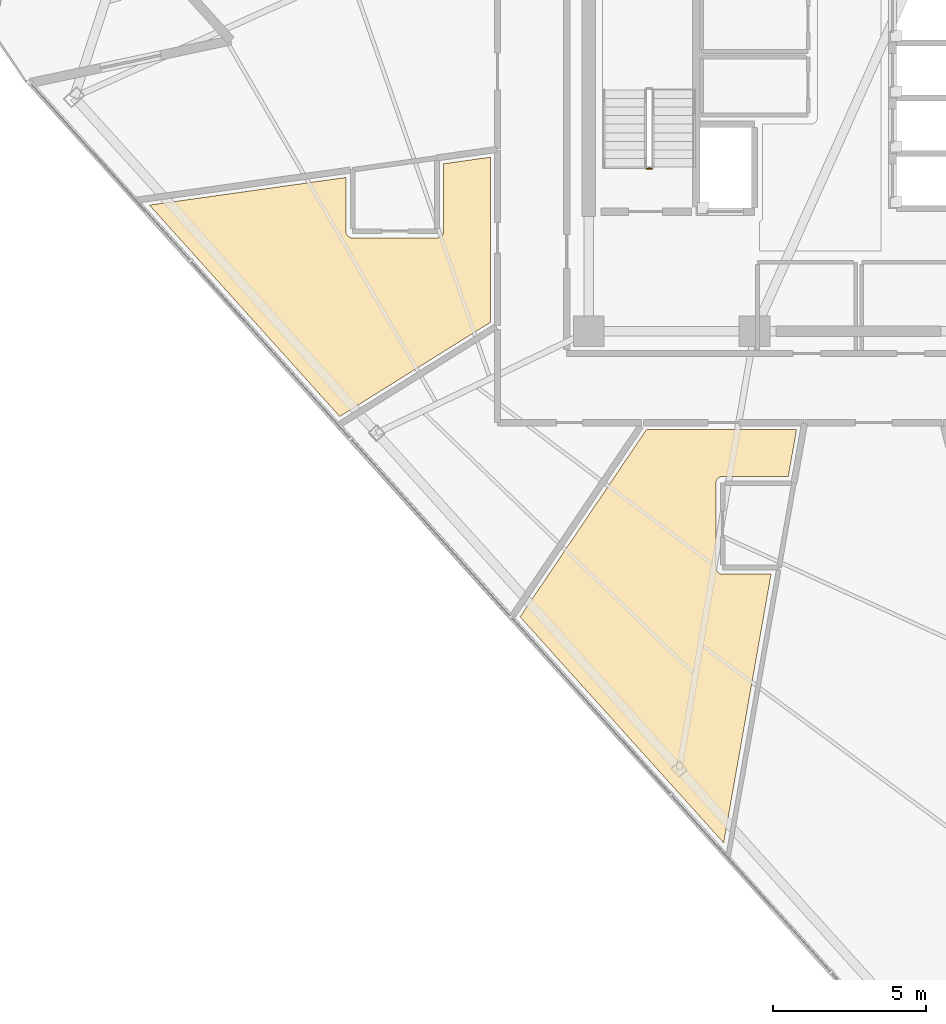
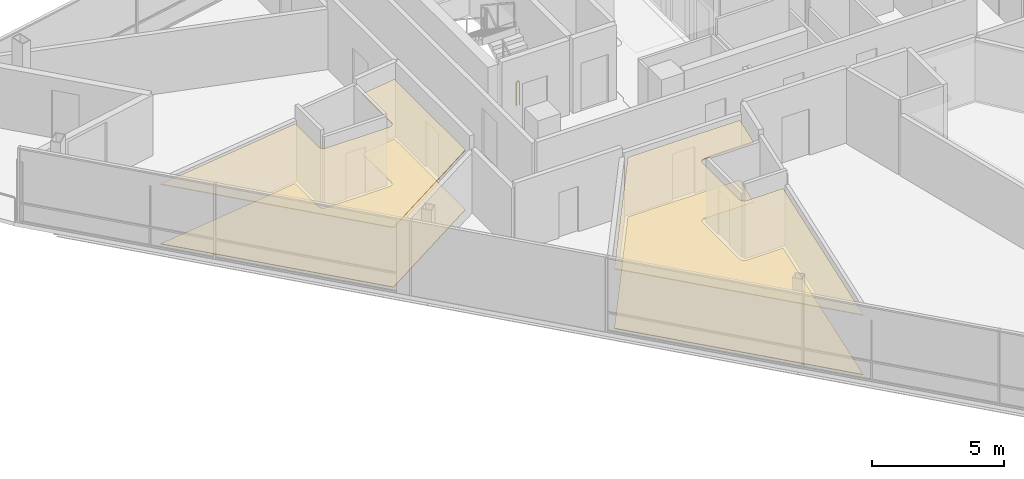
# One storey, part 14 of 17: 4 coverings, 1 railing.
"""IFC4 building model written with IfcOpenShell, lengths in metres."""

from ifc_helpers import new_model, si_unit, direction, frame, origin, origin_2d, place, context, subcontext, project, spatial, polyline, rectangle, outline, extrude, material, layer, layer_set, type_object, element, save


model = new_model("IFC4")

# Units and contexts
model_context = context("Model", 3, precision=1e-05, world=origin(), true_north=direction((0.0, 1.0)))
body_context = subcontext(model_context, "Body", "Model", "MODEL_VIEW")
ifc_project = project(units=[si_unit("LENGTHUNIT", "METRE"), si_unit("AREAUNIT", "SQUARE_METRE"), si_unit("VOLUMEUNIT", "CUBIC_METRE"), si_unit("PLANEANGLEUNIT", "RADIAN"), si_unit("MASSUNIT", "GRAM", prefix="KILO")], contexts=[model_context])

# Site, building, storey
site_placement = place(None, origin())
site = spatial("IfcSite", under=ifc_project, at=site_placement, CompositionType="ELEMENT")
building_placement = place(site_placement, origin())
building = spatial("IfcBuilding", under=site, at=building_placement, Name="Tharavind Bronze Gate", CompositionType="ELEMENT")
storey_placement = place(building_placement, frame((0.0, 0.0, 294.35009765625)))
storey = spatial("IfcBuildingStorey", under=building, at=storey_placement, Name="L76", CompositionType="ELEMENT", Elevation=294.35009765625)

# Coverings
ifc_material_1 = material(Name="Engineered Oak & Carpet Tile", Category="wood")
ifc_layer_1 = layer(ifc_material_1, 0.02490234375)
ifc_layer_set_1 = layer_set([ifc_layer_1], Name="Engineered Oak & Carpet Tile")
covering_type_1 = type_object("IfcCoveringType", Name="ENGINEERED TIMBER FLOORING", PredefinedType="FLOORING", material=ifc_layer_set_1)
covering_1_placement = place(storey_placement, origin())
element("IfcCovering", 1, at=covering_1_placement, inside=storey, type_object=covering_type_1, Name="L76-RM-06 floor finish", PredefinedType="FLOORING", context=body_context, shape_type="SweptSolid", body=[
    extrude(outline(polyline([(-17.0205078125, -10.376220703125), (-12.10009765625, -7.301513671875), (-12.10009765625, -1.922607421875), (-13.6298828125, -2.1376953125), (-13.6298828125, -4.33642578125), (-13.631103515625, -4.358154296875), (-13.63427734375, -4.37939453125), (-13.639404296875, -4.400390625), (-13.646728515625, -4.420654296875), (-13.656005859375, -4.440185546875), (-13.6669921875, -4.458740234375), (-13.679931640625, -4.47607421875), (-13.6943359375, -4.4921875), (-13.71044921875, -4.506591796875), (-13.727783203125, -4.519287109375), (-13.746337890625, -4.530517578125), (-13.765869140625, -4.539794921875), (-13.7861328125, -4.547119140625), (-13.80712890625, -4.55224609375), (-13.828369140625, -4.555419921875), (-13.85009765625, -4.556396484375), (-16.60009765625, -4.556396484375), (-16.62158203125, -4.555419921875), (-16.642822265625, -4.55224609375), (-16.663818359375, -4.547119140625), (-16.68408203125, -4.539794921875), (-16.70361328125, -4.530517578125), (-16.72216796875, -4.519287109375), (-16.739501953125, -4.506591796875), (-16.755615234375, -4.4921875), (-16.77001953125, -4.47607421875), (-16.782958984375, -4.458740234375), (-16.7939453125, -4.440185546875), (-16.80322265625, -4.420654296875), (-16.810546875, -4.400390625), (-16.81591796875, -4.37939453125), (-16.81884765625, -4.358154296875), (-16.820068359375, -4.33642578125), (-16.820068359375, -2.586181640625), (-23.224365234375, -3.486083984375), (-17.0205078125, -10.376220703125)])), origin(), (0.0, 0.0, 1.0), 0.02490234375),
])
covering_2_placement = place(storey_placement, origin())
element("IfcCovering", 2, at=covering_2_placement, inside=storey, type_object=covering_type_1, Name="L76-RM-08 floor finish", PredefinedType="FLOORING", context=body_context, shape_type="SweptSolid", body=[
    extrude(outline(polyline([(-4.504150390625, -24.277099609375), (-2.9599609375, -15.52001953125), (-4.53662109375, -15.52001953125), (-4.558349609375, -15.518798828125), (-4.57958984375, -15.515869140625), (-4.6005859375, -15.510498046875), (-4.620849609375, -15.50341796875), (-4.640380859375, -15.493896484375), (-4.658935546875, -15.48291015625), (-4.67626953125, -15.47021484375), (-4.6923828125, -15.45556640625), (-4.706787109375, -15.439697265625), (-4.719482421875, -15.422119140625), (-4.730712890625, -15.40380859375), (-4.739990234375, -15.38427734375), (-4.747314453125, -15.364013671875), (-4.75244140625, -15.343017578125), (-4.755615234375, -15.321533203125), (-4.756591796875, -15.300048828125), (-4.756591796875, -12.550048828125), (-4.755615234375, -12.5283203125), (-4.75244140625, -12.507080078125), (-4.747314453125, -12.486083984375), (-4.739990234375, -12.4658203125), (-4.730712890625, -12.4462890625), (-4.719482421875, -12.427734375), (-4.706787109375, -12.410400390625), (-4.6923828125, -12.394287109375), (-4.67626953125, -12.3798828125), (-4.658935546875, -12.3671875), (-4.640380859375, -12.35595703125), (-4.620849609375, -12.3466796875), (-4.6005859375, -12.339599609375), (-4.57958984375, -12.334228515625), (-4.558349609375, -12.3310546875), (-4.53662109375, -12.330078125), (-2.3974609375, -12.330078125), (-2.127685546875, -10.800048828125), (-7.019287109375, -10.800048828125), (-11.139404296875, -16.908203125), (-4.504150390625, -24.277099609375)])), origin(), (0.0, 0.0, 1.0), 0.02490234375),
])
ifc_material_2 = material(Name="Acoustic Gypsum Board", Category="gypsum")
ifc_layer_2 = layer(ifc_material_2, 0.030029296875)
ifc_layer_set_2 = layer_set([ifc_layer_2], Name="Acoustic Gypsum Board")
covering_type_2 = type_object("IfcCoveringType", Name="GYPSUM SUSPENDED CEILING", PredefinedType="CEILING", material=ifc_layer_set_2)
covering_3_placement = place(storey_placement, frame((0.0, 0.0, 2.75)))
element("IfcCovering", 3, at=covering_3_placement, inside=storey, type_object=covering_type_2, Name="L76-RM-06 suspended ceiling", PredefinedType="CEILING", context=body_context, shape_type="SweptSolid", body=[
    extrude(outline(polyline([(-17.0205078125, -10.376220703125), (-12.10009765625, -7.301513671875), (-12.10009765625, -1.922607421875), (-13.6298828125, -2.1376953125), (-13.6298828125, -4.33642578125), (-13.631103515625, -4.358154296875), (-13.63427734375, -4.37939453125), (-13.639404296875, -4.400390625), (-13.646728515625, -4.420654296875), (-13.656005859375, -4.440185546875), (-13.6669921875, -4.458740234375), (-13.679931640625, -4.47607421875), (-13.6943359375, -4.4921875), (-13.71044921875, -4.506591796875), (-13.727783203125, -4.519287109375), (-13.746337890625, -4.530517578125), (-13.765869140625, -4.539794921875), (-13.7861328125, -4.547119140625), (-13.80712890625, -4.55224609375), (-13.828369140625, -4.555419921875), (-13.85009765625, -4.556396484375), (-16.60009765625, -4.556396484375), (-16.62158203125, -4.555419921875), (-16.642822265625, -4.55224609375), (-16.663818359375, -4.547119140625), (-16.68408203125, -4.539794921875), (-16.70361328125, -4.530517578125), (-16.72216796875, -4.519287109375), (-16.739501953125, -4.506591796875), (-16.755615234375, -4.4921875), (-16.77001953125, -4.47607421875), (-16.782958984375, -4.458740234375), (-16.7939453125, -4.440185546875), (-16.80322265625, -4.420654296875), (-16.810546875, -4.400390625), (-16.81591796875, -4.37939453125), (-16.81884765625, -4.358154296875), (-16.820068359375, -4.33642578125), (-16.820068359375, -2.586181640625), (-23.224365234375, -3.486083984375), (-17.0205078125, -10.376220703125)])), origin(), (0.0, 0.0, 1.0), 0.034912109375),
])
covering_4_placement = place(storey_placement, frame((0.0, 0.0, 2.75)))
element("IfcCovering", 4, at=covering_4_placement, inside=storey, type_object=covering_type_2, Name="L76-RM-08 suspended ceiling", PredefinedType="CEILING", context=body_context, shape_type="SweptSolid", body=[
    extrude(outline(polyline([(-4.504150390625, -24.277099609375), (-2.9599609375, -15.52001953125), (-4.53662109375, -15.52001953125), (-4.558349609375, -15.518798828125), (-4.57958984375, -15.515869140625), (-4.6005859375, -15.510498046875), (-4.620849609375, -15.50341796875), (-4.640380859375, -15.493896484375), (-4.658935546875, -15.48291015625), (-4.67626953125, -15.47021484375), (-4.6923828125, -15.45556640625), (-4.706787109375, -15.439697265625), (-4.719482421875, -15.422119140625), (-4.730712890625, -15.40380859375), (-4.739990234375, -15.38427734375), (-4.747314453125, -15.364013671875), (-4.75244140625, -15.343017578125), (-4.755615234375, -15.321533203125), (-4.756591796875, -15.300048828125), (-4.756591796875, -12.550048828125), (-4.755615234375, -12.5283203125), (-4.75244140625, -12.507080078125), (-4.747314453125, -12.486083984375), (-4.739990234375, -12.4658203125), (-4.730712890625, -12.4462890625), (-4.719482421875, -12.427734375), (-4.706787109375, -12.410400390625), (-4.6923828125, -12.394287109375), (-4.67626953125, -12.3798828125), (-4.658935546875, -12.3671875), (-4.640380859375, -12.35595703125), (-4.620849609375, -12.3466796875), (-4.6005859375, -12.339599609375), (-4.57958984375, -12.334228515625), (-4.558349609375, -12.3310546875), (-4.53662109375, -12.330078125), (-2.3974609375, -12.330078125), (-2.127685546875, -10.800048828125), (-7.019287109375, -10.800048828125), (-11.139404296875, -16.908203125), (-4.504150390625, -24.277099609375)])), origin(), (0.0, 0.0, 1.0), 0.034912109375),
])

# Railing
ifc_material_3 = material(Name="Brushed Bronze Alloy", Category="metal")
railing_type = type_object("IfcRailingType", Name="STAIR WELL GUARD RAILING 1120", PredefinedType="GUARDRAIL", material=ifc_material_3)
railing_placement = place(storey_placement, frame((-6.85009765625, -2.300048828125, 0.0)))
element("IfcRailing", 5, at=railing_placement, inside=storey, type_object=railing_type, Name="L76 ST1 stair guard 4", PredefinedType="GUARDRAIL", context=body_context, shape_type="SweptSolid", body=[
    extrude(rectangle(XDim=0.048095703125, YDim=0.048095703125, at=origin_2d()), frame((-0.031982421875, 0.0, 1.09619140625), z_axis=(-1.0, 0.0, 0.0), x_axis=(0.0, -1.0, 0.0)), (0.0, 0.0, 1.0), 0.0859375),
    extrude(rectangle(XDim=0.0400390625, YDim=0.0400390625, at=origin_2d()), origin(), (0.0, 0.0, 1.0), 1.068115234375),
    extrude(rectangle(XDim=0.0400390625, YDim=0.0400390625, at=origin_2d()), frame((-0.14990234375, 0.0, 0.0)), (0.0, 0.0, 1.0), 1.068115234375),
])

save(model, "model.ifc")
